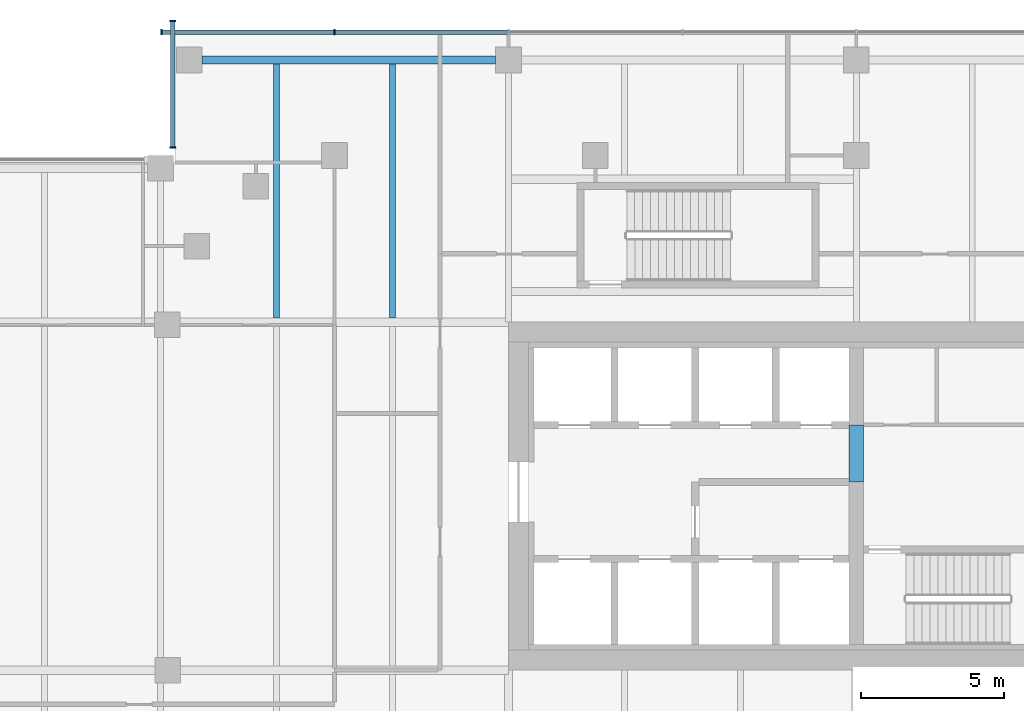
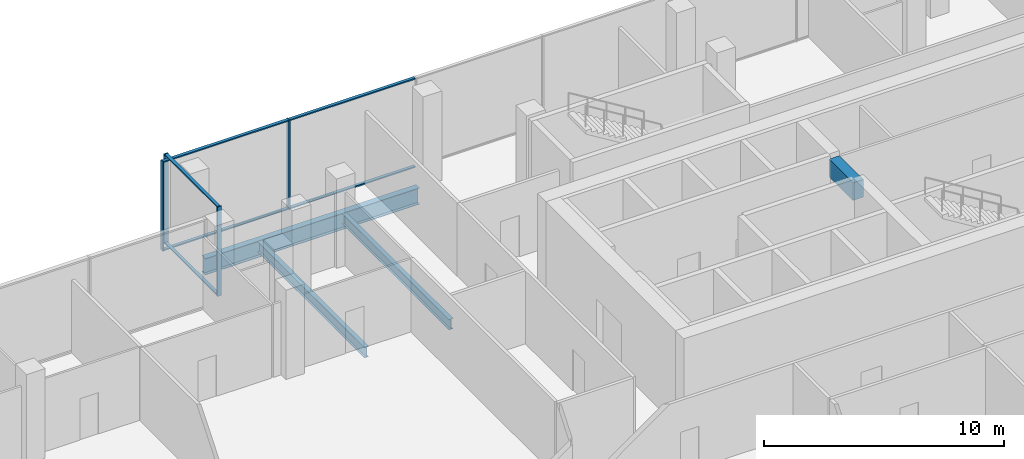
# One storey, part 11 of 33: 10 members, 4 beams, 2 elements without a shape of their own.
"""IFC4 building model written with IfcOpenShell, lengths in metres."""

import ifcopenshell
import ifcopenshell.guid

model = None  # the IFC model being written
_history = None  # IfcOwnerHistory: only IFC2X3 demands one
_inside = {}  # id of a spatial element -> (the spatial element, [elements in it])
_under = {}  # id of a project, library or spatial element -> (it, [spatial elements below it])
_declared = {}  # id of a project -> (the project, [libraries it declares])
_typed = {}  # id of a type object -> (the type object, [elements of that type])
_made_of = {}  # id of a material, layer set ... -> (it, [elements and type objects made of it])


def new_model(schema):
    """Start an empty IFC model of exactly this schema.

    Asked for "IFC4X3", IfcOpenShell would pick the latest addendum, in which some entities
    have other attributes; the version numbers below select the first issue.
    IFC2X3 requires an IfcOwnerHistory on every rooted entity: one is made here for all.
    """
    global model, _history
    if schema == "IFC4X3":
        model = ifcopenshell.file(schema_version=(4, 3, 0, 0))
    else:
        model = ifcopenshell.file(schema=schema)
    _inside.clear()
    _under.clear()
    _declared.clear()
    _typed.clear()
    _made_of.clear()
    _history = None
    if model.schema == "IFC2X3":
        org = make("IfcOrganization", Name="unknown")
        user = make(
            "IfcPersonAndOrganization",
            ThePerson=make("IfcPerson", FamilyName="unknown"),
            TheOrganization=org,
        )
        app = make(
            "IfcApplication",
            ApplicationDeveloper=org,
            Version="unknown",
            ApplicationFullName="unknown",
            ApplicationIdentifier="unknown",
        )
        _history = make(
            "IfcOwnerHistory",
            OwningUser=user,
            OwningApplication=app,
            ChangeAction="ADDED",
            CreationDate=0,
        )
    return model


def make(cls, **values):
    """One entity of the class cls with the attributes given. An attribute that is None is left unset."""
    return model.create_entity(
        cls, **{name: value for name, value in values.items() if value is not None}
    )


def rooted(cls, **values):
    """An entity with a GlobalId (a new one), such as an element, a storey or a relation."""
    return make(cls, GlobalId=ifcopenshell.guid.new(), OwnerHistory=_history, **values)


def si_unit(unit_type, name, prefix=None):
    """IfcSIUnit, for example si_unit("LENGTHUNIT", "METRE", prefix="MILLI")."""
    return make("IfcSIUnit", UnitType=unit_type, Prefix=prefix, Name=name)


def assignment(units):
    """IfcUnitAssignment: the units of a project."""
    return None if units is None else make("IfcUnitAssignment", Units=units)


def point(xyz):
    """IfcCartesianPoint."""
    return None if xyz is None else make("IfcCartesianPoint", Coordinates=xyz)


def direction(xyz):
    """IfcDirection."""
    return None if xyz is None else make("IfcDirection", DirectionRatios=xyz)


def frame(location, z_axis=None, x_axis=None):
    """IfcAxis2Placement3D, a coordinate frame: its origin and axes. An axis left out is left unset."""
    return make(
        "IfcAxis2Placement3D",
        Location=point(location),
        Axis=direction(z_axis),
        RefDirection=direction(x_axis),
    )


def frame_2d(location, x_axis=None):
    """IfcAxis2Placement2D, a coordinate frame in the plane: its origin and x axis."""
    return make(
        "IfcAxis2Placement2D", Location=point(location), RefDirection=direction(x_axis)
    )


def origin():
    """The frame at (0, 0, 0) with its axes left unset."""
    return frame((0.0, 0.0, 0.0))


def origin_2d():
    """The frame at (0, 0) in the plane with its x axis left unset."""
    return frame_2d((0.0, 0.0))


def place(relative_to, where):
    """IfcLocalPlacement: puts the frame where relative to a parent placement (None: the world)."""
    return make(
        "IfcLocalPlacement", PlacementRelTo=relative_to, RelativePlacement=where
    )


def context(
    kind, dimensions, precision=None, world=None, true_north=None, identifier=None
):
    """IfcGeometricRepresentationContext, for example the 3D "Model" context."""
    return make(
        "IfcGeometricRepresentationContext",
        ContextIdentifier=identifier,
        ContextType=kind,
        CoordinateSpaceDimension=dimensions,
        Precision=precision,
        WorldCoordinateSystem=world,
        TrueNorth=true_north,
    )


def subcontext(parent, identifier, kind, view, scale=None):
    """IfcGeometricRepresentationSubContext, for example "Body" below "Model"."""
    return make(
        "IfcGeometricRepresentationSubContext",
        ContextIdentifier=identifier,
        ContextType=kind,
        ParentContext=parent,
        TargetScale=scale,
        TargetView=view,
    )


def project(units=None, contexts=None):
    """IfcProject with its units and contexts."""
    return rooted(
        "IfcProject",
        Name="project",
        RepresentationContexts=contexts,
        UnitsInContext=assignment(units),
    )


def spatial(cls, under=None, at=None, **own):
    """A site, building, storey or space (cls), placed at a placement, below another one or the project."""
    s = rooted(cls, ObjectPlacement=at, **own)
    if under is not None:
        _under.setdefault(under.id(), (under, []))[1].append(s)
    return s


def profile(cls, at=None, kind="AREA", **sizes):
    """A parametric profile (cls). Its sizes go by their IFC names, for example OverallWidth=200.0."""
    return make(cls, ProfileType=kind, Position=at, **sizes)


def rectangle(**sizes):
    """IfcRectangleProfileDef."""
    return profile("IfcRectangleProfileDef", **sizes)


def i_section(**sizes):
    """IfcIShapeProfileDef."""
    return profile("IfcIShapeProfileDef", **sizes)


def extrude(swept, where, along, depth):
    """IfcExtrudedAreaSolid: the profile swept, set in the frame where, extruded along a direction by depth."""
    return make(
        "IfcExtrudedAreaSolid",
        SweptArea=swept,
        Position=where,
        ExtrudedDirection=direction(along),
        Depth=depth,
    )


def shape(context_of_items, identifier, shape_type, items):
    """IfcShapeRepresentation: the items that make up one representation, for example the "Body"."""
    return make(
        "IfcShapeRepresentation",
        ContextOfItems=context_of_items,
        RepresentationIdentifier=identifier,
        RepresentationType=shape_type,
        Items=items,
    )


def material(Name=None, Category=None):
    """IfcMaterial."""
    return make("IfcMaterial", Name=Name, Category=Category)


def material_profile(
    of_material, cross_section, Name=None, Category=None, Priority=None
):
    """IfcMaterialProfile: a cross section and its material."""
    return make(
        "IfcMaterialProfile",
        Name=Name,
        Material=of_material,
        Profile=cross_section,
        Priority=Priority,
        Category=Category,
    )


def profile_set(profiles, Name=None, composite=None):
    """IfcMaterialProfileSet."""
    return make(
        "IfcMaterialProfileSet",
        Name=Name,
        MaterialProfiles=profiles,
        CompositeProfile=composite,
    )


def made_of(thing, what):
    """Note that an element or type object is made of a material, layer set ...; save() writes the relation."""
    if what is not None:
        _made_of.setdefault(what.id(), (what, []))[1].append(thing)
    return thing


def type_object(cls, material=None, **own):
    """A type object (cls), such as IfcWallType, which elements share."""
    return made_of(rooted(cls, **own), material)


def element(
    cls,
    number,
    at=None,
    inside=None,
    cuts=None,
    type_object=None,
    material=None,
    context=None,
    identifier="Body",
    shape_type=None,
    held_by="IfcProductDefinitionShape",
    body=None,
    shapes=None,
    **own,
):
    """One element of the class cls, such as IfcWall. Its Tag is "e" and its number.

    at: its placement. inside: the storey or other place that contains it. cuts: it is an
    opening in that element (IfcRelVoidsElement). A single representation is given by context,
    identifier, shape_type and body (its items); several are given by shapes. held_by: the class
    of the entity that holds the representations. save() writes the other relations.
    """
    e = rooted(cls, Tag="e%d" % number, ObjectPlacement=at, **own)
    if body is not None:
        shapes = [shape(context, identifier, shape_type, body)]
    if shapes is not None:
        e.Representation = make(held_by, Representations=shapes)
    if inside is not None:
        _inside.setdefault(inside.id(), (inside, []))[1].append(e)
    if cuts is not None:
        rooted(
            "IfcRelVoidsElement", RelatingBuildingElement=cuts, RelatedOpeningElement=e
        )
    if type_object is not None:
        _typed.setdefault(type_object.id(), (type_object, []))[1].append(e)
    return made_of(e, material)


def aggregate(whole, parts):
    """IfcRelAggregates: a whole, such as a stair, and the parts it consists of."""
    return rooted("IfcRelAggregates", RelatingObject=whole, RelatedObjects=parts)


def save(model, path):
    """Write the relations noted so far, then the file.

    IfcRelAggregates (storeys below a building ...), IfcRelContainedInSpatialStructure (elements
    in a storey), IfcRelDefinesByType, IfcRelAssociatesMaterial and IfcRelDeclares: one each for
    every whole, place, type object, material and project.
    """
    for whole, parts in _under.values():
        aggregate(whole, parts)
    for where, things in _inside.values():
        rooted(
            "IfcRelContainedInSpatialStructure",
            RelatedElements=things,
            RelatingStructure=where,
        )
    for kind, things in _typed.values():
        rooted("IfcRelDefinesByType", RelatedObjects=things, RelatingType=kind)
    for what, things in _made_of.values():
        rooted("IfcRelAssociatesMaterial", RelatedObjects=things, RelatingMaterial=what)
    for by, libraries in _declared.values():
        rooted("IfcRelDeclares", RelatingContext=by, RelatedDefinitions=libraries)
    model.write(path)


model = new_model("IFC4")

# Units and contexts
model_context = context("Model", 3, precision=1e-05, world=origin(), true_north=direction((0.0, 1.0)))
body_context = subcontext(model_context, "Body", "Model", "MODEL_VIEW")
ifc_project = project(units=[si_unit("LENGTHUNIT", "METRE"), si_unit("AREAUNIT", "SQUARE_METRE"), si_unit("VOLUMEUNIT", "CUBIC_METRE"), si_unit("PLANEANGLEUNIT", "RADIAN"), si_unit("MASSUNIT", "GRAM", prefix="KILO")], contexts=[model_context])

# Site, building, storey
site_placement = place(None, origin())
site = spatial("IfcSite", under=ifc_project, at=site_placement, CompositionType="ELEMENT")
building_placement = place(site_placement, origin())
building = spatial("IfcBuilding", under=site, at=building_placement, Name="Tessera Gate Towers", CompositionType="ELEMENT")
storey_placement = place(building_placement, frame((0.0, 0.0, 7.199951171875)))
storey = spatial("IfcBuildingStorey", under=building, at=storey_placement, Name="L01", CompositionType="ELEMENT", Elevation=7.199951171875)

# Beams
ifc_material_1 = material(Name="Concrete C60/75", Category="concrete")
ifc_material_profile_1 = material_profile(ifc_material_1, rectangle(XDim=0.5, YDim=0.89990234375, at=origin_2d()), Name="RC 500x900")
ifc_profile_set_1 = profile_set([ifc_material_profile_1], Name="Concrete C60/75")
beam_type_1 = type_object("IfcBeamType", Name="COUPLING BEAM 500x900 C60/75", PredefinedType="BEAM", material=ifc_profile_set_1)
beam_1_placement = place(storey_placement, frame((109.800048828125, 43.199951171875, 4.10009765625), z_axis=(0.0, 1.0, 0.0), x_axis=(-1.0, 0.0, 0.0)))
element("IfcBeam", 1, at=beam_1_placement, inside=storey, type_object=beam_type_1, Name="L01 coupling beam 1", PredefinedType="BEAM", context=body_context, shape_type="SweptSolid", body=[
    extrude(rectangle(XDim=0.5, YDim=0.89990234375, at=origin_2d()), origin(), (0.0, 0.0, 1.0), 2.0),
])
ifc_material_2 = material(Name="Steel 350W", Category="steel")
ifc_material_profile_2 = material_profile(ifc_material_2, i_section(OverallWidth=0.2919921875, OverallDepth=0.8349609375, WebThickness=0.013916015625, FlangeThickness=0.018798828125, at=origin_2d()), Name="W840x176")
ifc_profile_set_2 = profile_set([ifc_material_profile_2], Name="Steel 350W")
beam_type_2 = type_object("IfcBeamType", Name="FLOOR GIRDER W840x176", PredefinedType="BEAM", material=ifc_profile_set_2)
beam_2_placement = place(storey_placement, frame((86.85009765625, 58.0, -0.66748046875), z_axis=(1.0, 0.0, 0.0), x_axis=(0.0, 1.0, 0.0)))
element("IfcBeam", 2, at=beam_2_placement, inside=storey, type_object=beam_type_2, Name="PD-GD-L01-231", PredefinedType="BEAM", context=body_context, shape_type="SweptSolid", body=[
    extrude(i_section(OverallWidth=0.2919921875, OverallDepth=0.8349609375, WebThickness=0.013916015625, FlangeThickness=0.018798828125, at=origin_2d()), origin(), (0.0, 0.0, 1.0), 10.2998046875),
])
ifc_material_3 = material(Name="Steel 350W", Category="steel")
ifc_material_profile_3 = material_profile(ifc_material_3, i_section(OverallWidth=0.208984375, OverallDepth=0.528076171875, WebThickness=0.009521484375, FlangeThickness=0.01318359375, at=origin_2d()), Name="W530x82")
ifc_profile_set_3 = profile_set([ifc_material_profile_3], Name="Steel 350W")
beam_type_3 = type_object("IfcBeamType", Name="FLOOR SECONDARY W530x82", PredefinedType="BEAM", material=ifc_profile_set_3)
for number, where, z_axis, x_axis, name in (
    (3, (89.466796875, 48.946044921875, -0.513916015625), (0.0, 1.0, 0.0), (-1.0, 0.0, 0.0), "PD-BM-L01-324"),
    (4, (93.533203125, 48.946044921875, -0.513916015625), (0.0, 1.0, 0.0), (-1.0, 0.0, 0.0), "PD-BM-L01-328"),
):
    element("IfcBeam", number, at=place(storey_placement, frame(where, z_axis=z_axis, x_axis=x_axis)), inside=storey, type_object=beam_type_3, Name=name, PredefinedType="BEAM", context=body_context, shape_type="SweptSolid", body=[
        extrude(i_section(OverallWidth=0.208984375, OverallDepth=0.528076171875, WebThickness=0.009521484375, FlangeThickness=0.01318359375, at=origin_2d()), origin(), (0.0, 0.0, 1.0), 8.907958984375),
    ])

# Curtain wall, members
ifc_material_4 = material(Name="Aluminium frame", Category="aluminium")
curtain_wall_type = type_object("IfcCurtainWallType", Name="CW-S1 podium storefront", PredefinedType="NOTDEFINED", material=ifc_material_4)
curtain_wall_1_placement = place(storey_placement, origin())
curtain_wall_1 = element("IfcCurtainWall", 5, at=curtain_wall_1_placement, inside=storey, type_object=curtain_wall_type, Name="Curtain wall podium storefront 0192", PredefinedType="NOTDEFINED")
ifc_material_5 = material(Name="Aluminium frame", Category="aluminium")
ifc_material_profile_4 = material_profile(ifc_material_5, rectangle(XDim=0.06005859375, YDim=0.199951171875, at=origin_2d()), Name="AL 60x200")
ifc_profile_set_4 = profile_set([ifc_material_profile_4], Name="Aluminium frame")
member_type_1 = type_object("IfcMemberType", Name="MU-S1 mullion 60x200", PredefinedType="MULLION", material=ifc_profile_set_4)
member_1_placement = place(storey_placement, frame((91.5, 58.97509765625, 0.0), z_axis=(0.0, 0.0, 1.0), x_axis=(-1.0, 0.0, 0.0)))
member_1 = element("IfcMember", 6, at=member_1_placement, type_object=member_type_1, Name="PD-CW1-0192 mullion 7", PredefinedType="MULLION", context=body_context, shape_type="SweptSolid", body=[
    extrude(rectangle(XDim=0.06005859375, YDim=0.199951171875, at=origin_2d()), origin(), (0.0, 0.0, 1.0), 4.550048828125),
])
member_2_placement = place(storey_placement, frame((85.429931640625, 58.97509765625, 0.0), z_axis=(0.0, 0.0, 1.0), x_axis=(-1.0, 0.0, 0.0)))
member_2 = element("IfcMember", 7, at=member_2_placement, type_object=member_type_1, Name="PD-CW1-0192 mullion 8", PredefinedType="MULLION", context=body_context, shape_type="SweptSolid", body=[
    extrude(rectangle(XDim=0.06005859375, YDim=0.199951171875, at=origin_2d()), origin(), (0.0, 0.0, 1.0), 4.550048828125),
])

curtain_wall_2_placement = place(storey_placement, origin())
curtain_wall_2 = element("IfcCurtainWall", 8, at=curtain_wall_2_placement, inside=storey, type_object=curtain_wall_type, Name="Curtain wall podium storefront 0195", PredefinedType="NOTDEFINED")
member_3_placement = place(storey_placement, frame((85.824951171875, 59.3701171875, 0.0), z_axis=(0.0, 0.0, 1.0), x_axis=(0.0, -1.0, 0.0)))
member_3 = element("IfcMember", 9, at=member_3_placement, type_object=member_type_1, Name="PD-CW1-0195 mullion 1", PredefinedType="MULLION", context=body_context, shape_type="SweptSolid", body=[
    extrude(rectangle(XDim=0.06005859375, YDim=0.199951171875, at=origin_2d()), origin(), (0.0, 0.0, 1.0), 4.550048828125),
])
member_4_placement = place(storey_placement, frame((85.824951171875, 54.929931640625, 0.0), z_axis=(0.0, 0.0, 1.0), x_axis=(0.0, -1.0, 0.0)))
member_4 = element("IfcMember", 10, at=member_4_placement, type_object=member_type_1, Name="PD-CW1-0195 mullion 2", PredefinedType="MULLION", context=body_context, shape_type="SweptSolid", body=[
    extrude(rectangle(XDim=0.06005859375, YDim=0.199951171875, at=origin_2d()), origin(), (0.0, 0.0, 1.0), 4.550048828125),
])

# Member
ifc_material_6 = material(Name="Aluminium frame", Category="aluminium")
ifc_material_profile_5 = material_profile(ifc_material_6, rectangle(XDim=0.14990234375, YDim=0.06005859375, at=origin_2d()), Name="AL 60x150")
ifc_profile_set_5 = profile_set([ifc_material_profile_5], Name="Aluminium frame")
member_type_2 = type_object("IfcMemberType", Name="TR-S1 transom 60x150", PredefinedType="USERDEFINED", material=ifc_profile_set_5)
member_5_placement = place(storey_placement, frame((97.570068359375, 58.97509765625, 0.030029296875), z_axis=(-1.0, 0.0, 0.0), x_axis=(0.0, -1.0, 0.0)))
member_5 = element("IfcMember", 11, at=member_5_placement, type_object=member_type_2, Name="PD-CW1-0192 transom 6.1", ObjectType="TRANSOM", PredefinedType="USERDEFINED", context=body_context, shape_type="SweptSolid", body=[
    extrude(rectangle(XDim=0.14990234375, YDim=0.06005859375, at=origin_2d()), origin(), (0.0, 0.0, 1.0), 6.0400390625),
])

member_6_placement = place(storey_placement, frame((97.570068359375, 58.97509765625, 4.52001953125), z_axis=(-1.0, 0.0, 0.0), x_axis=(0.0, -1.0, 0.0)))
member_6 = element("IfcMember", 12, at=member_6_placement, type_object=member_type_2, Name="PD-CW1-0192 transom 6.2", ObjectType="TRANSOM", PredefinedType="USERDEFINED", context=body_context, shape_type="SweptSolid", body=[
    extrude(rectangle(XDim=0.14990234375, YDim=0.06005859375, at=origin_2d()), origin(), (0.0, 0.0, 1.0), 6.0400390625),
])

member_7_placement = place(storey_placement, frame((91.469970703125, 58.97509765625, 0.030029296875), z_axis=(-1.0, 0.0, 0.0), x_axis=(0.0, -1.0, 0.0)))
member_7 = element("IfcMember", 13, at=member_7_placement, type_object=member_type_2, Name="PD-CW1-0192 transom 7.1", ObjectType="TRANSOM", PredefinedType="USERDEFINED", context=body_context, shape_type="SweptSolid", body=[
    extrude(rectangle(XDim=0.14990234375, YDim=0.06005859375, at=origin_2d()), origin(), (0.0, 0.0, 1.0), 6.010009765625),
])

member_8_placement = place(storey_placement, frame((91.469970703125, 58.97509765625, 4.52001953125), z_axis=(-1.0, 0.0, 0.0), x_axis=(0.0, -1.0, 0.0)))
member_8 = element("IfcMember", 14, at=member_8_placement, type_object=member_type_2, Name="PD-CW1-0192 transom 7.2", ObjectType="TRANSOM", PredefinedType="USERDEFINED", context=body_context, shape_type="SweptSolid", body=[
    extrude(rectangle(XDim=0.14990234375, YDim=0.06005859375, at=origin_2d()), origin(), (0.0, 0.0, 1.0), 6.010009765625),
])

aggregate(curtain_wall_1, [member_1, member_2, member_5, member_6, member_7, member_8])

member_9_placement = place(storey_placement, frame((85.824951171875, 59.340087890625, 0.030029296875), z_axis=(0.0, -1.0, 0.0), x_axis=(1.0, 0.0, 0.0)))
member_9 = element("IfcMember", 15, at=member_9_placement, type_object=member_type_2, Name="PD-CW1-0195 transom 1.1", ObjectType="TRANSOM", PredefinedType="USERDEFINED", context=body_context, shape_type="SweptSolid", body=[
    extrude(rectangle(XDim=0.14990234375, YDim=0.06005859375, at=origin_2d()), origin(), (0.0, 0.0, 1.0), 4.380126953125),
])

member_10_placement = place(storey_placement, frame((85.824951171875, 59.340087890625, 4.52001953125), z_axis=(0.0, -1.0, 0.0), x_axis=(1.0, 0.0, 0.0)))
member_10 = element("IfcMember", 16, at=member_10_placement, type_object=member_type_2, Name="PD-CW1-0195 transom 1.2", ObjectType="TRANSOM", PredefinedType="USERDEFINED", context=body_context, shape_type="SweptSolid", body=[
    extrude(rectangle(XDim=0.14990234375, YDim=0.06005859375, at=origin_2d()), origin(), (0.0, 0.0, 1.0), 4.380126953125),
])

aggregate(curtain_wall_2, [member_3, member_4, member_9, member_10])

save(model, "model.ifc")
